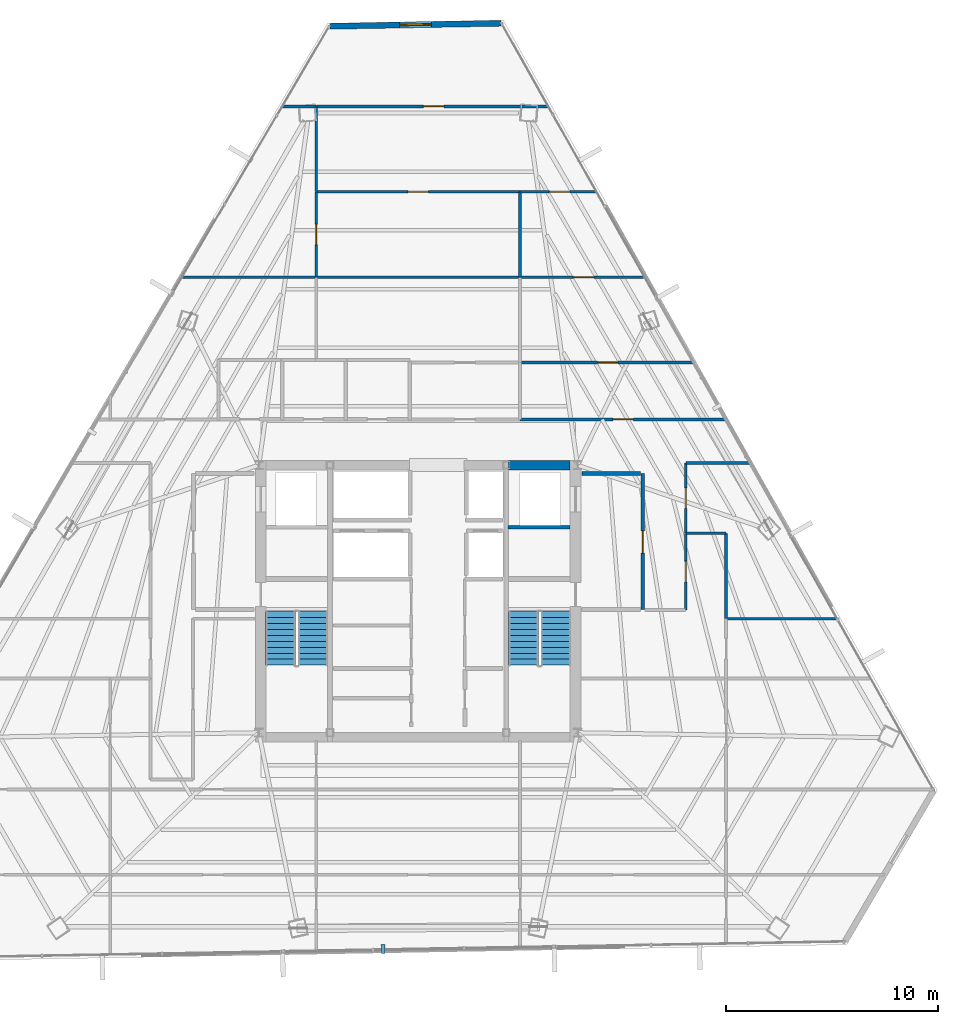
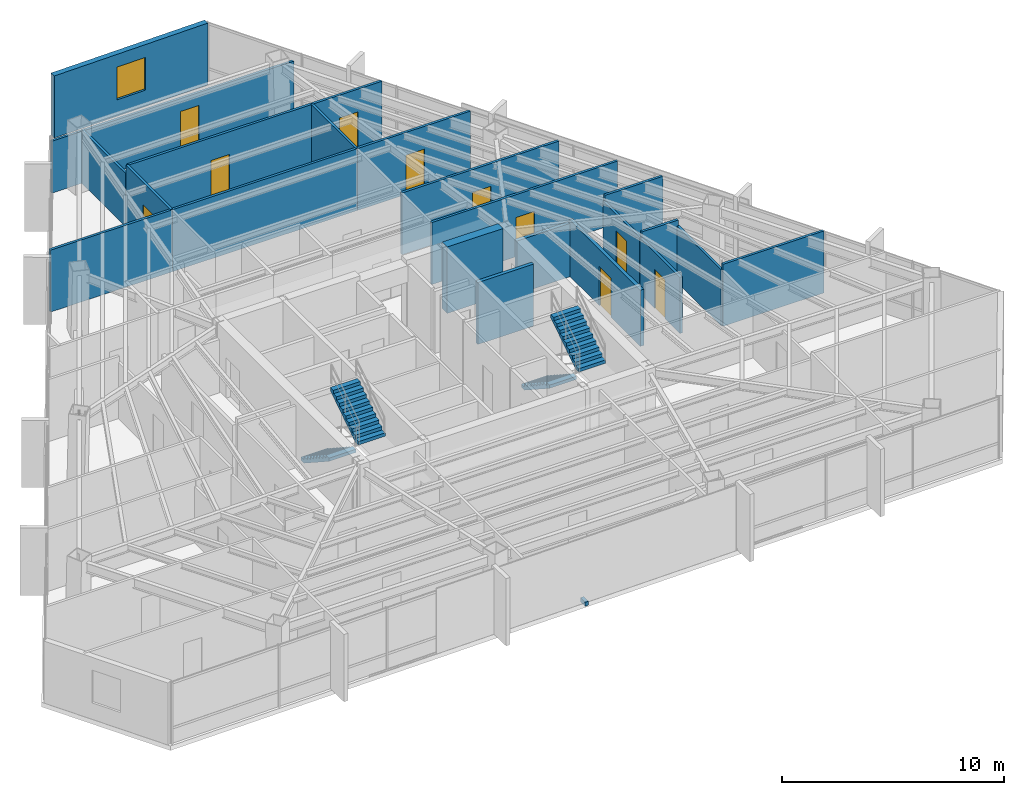
# One storey, part 39 of 44: 23 walls, 10 doors, 4 stair flights, 1 discrete accessory, 1 window, 11 openings, 2 elements without a shape of their own.
"""IFC4 building model written with IfcOpenShell, lengths in metres."""

import ifcopenshell
import ifcopenshell.guid

model = None  # the IFC model being written
_history = None  # IfcOwnerHistory: only IFC2X3 demands one
_inside = {}  # id of a spatial element -> (the spatial element, [elements in it])
_under = {}  # id of a project, library or spatial element -> (it, [spatial elements below it])
_declared = {}  # id of a project -> (the project, [libraries it declares])
_typed = {}  # id of a type object -> (the type object, [elements of that type])
_made_of = {}  # id of a material, layer set ... -> (it, [elements and type objects made of it])


def new_model(schema):
    """Start an empty IFC model of exactly this schema.

    Asked for "IFC4X3", IfcOpenShell would pick the latest addendum, in which some entities
    have other attributes; the version numbers below select the first issue.
    IFC2X3 requires an IfcOwnerHistory on every rooted entity: one is made here for all.
    """
    global model, _history
    if schema == "IFC4X3":
        model = ifcopenshell.file(schema_version=(4, 3, 0, 0))
    else:
        model = ifcopenshell.file(schema=schema)
    _inside.clear()
    _under.clear()
    _declared.clear()
    _typed.clear()
    _made_of.clear()
    _history = None
    if model.schema == "IFC2X3":
        org = make("IfcOrganization", Name="unknown")
        user = make(
            "IfcPersonAndOrganization",
            ThePerson=make("IfcPerson", FamilyName="unknown"),
            TheOrganization=org,
        )
        app = make(
            "IfcApplication",
            ApplicationDeveloper=org,
            Version="unknown",
            ApplicationFullName="unknown",
            ApplicationIdentifier="unknown",
        )
        _history = make(
            "IfcOwnerHistory",
            OwningUser=user,
            OwningApplication=app,
            ChangeAction="ADDED",
            CreationDate=0,
        )
    return model


def make(cls, **values):
    """One entity of the class cls with the attributes given. An attribute that is None is left unset."""
    return model.create_entity(
        cls, **{name: value for name, value in values.items() if value is not None}
    )


def rooted(cls, **values):
    """An entity with a GlobalId (a new one), such as an element, a storey or a relation."""
    return make(cls, GlobalId=ifcopenshell.guid.new(), OwnerHistory=_history, **values)


def si_unit(unit_type, name, prefix=None):
    """IfcSIUnit, for example si_unit("LENGTHUNIT", "METRE", prefix="MILLI")."""
    return make("IfcSIUnit", UnitType=unit_type, Prefix=prefix, Name=name)


def assignment(units):
    """IfcUnitAssignment: the units of a project."""
    return None if units is None else make("IfcUnitAssignment", Units=units)


def point(xyz):
    """IfcCartesianPoint."""
    return None if xyz is None else make("IfcCartesianPoint", Coordinates=xyz)


def direction(xyz):
    """IfcDirection."""
    return None if xyz is None else make("IfcDirection", DirectionRatios=xyz)


def frame(location, z_axis=None, x_axis=None):
    """IfcAxis2Placement3D, a coordinate frame: its origin and axes. An axis left out is left unset."""
    return make(
        "IfcAxis2Placement3D",
        Location=point(location),
        Axis=direction(z_axis),
        RefDirection=direction(x_axis),
    )


def frame_2d(location, x_axis=None):
    """IfcAxis2Placement2D, a coordinate frame in the plane: its origin and x axis."""
    return make(
        "IfcAxis2Placement2D", Location=point(location), RefDirection=direction(x_axis)
    )


def origin():
    """The frame at (0, 0, 0) with its axes left unset."""
    return frame((0.0, 0.0, 0.0))


def origin_2d():
    """The frame at (0, 0) in the plane with its x axis left unset."""
    return frame_2d((0.0, 0.0))


def place(relative_to, where):
    """IfcLocalPlacement: puts the frame where relative to a parent placement (None: the world)."""
    return make(
        "IfcLocalPlacement", PlacementRelTo=relative_to, RelativePlacement=where
    )


def context(
    kind, dimensions, precision=None, world=None, true_north=None, identifier=None
):
    """IfcGeometricRepresentationContext, for example the 3D "Model" context."""
    return make(
        "IfcGeometricRepresentationContext",
        ContextIdentifier=identifier,
        ContextType=kind,
        CoordinateSpaceDimension=dimensions,
        Precision=precision,
        WorldCoordinateSystem=world,
        TrueNorth=true_north,
    )


def subcontext(parent, identifier, kind, view, scale=None):
    """IfcGeometricRepresentationSubContext, for example "Body" below "Model"."""
    return make(
        "IfcGeometricRepresentationSubContext",
        ContextIdentifier=identifier,
        ContextType=kind,
        ParentContext=parent,
        TargetScale=scale,
        TargetView=view,
    )


def project(units=None, contexts=None):
    """IfcProject with its units and contexts."""
    return rooted(
        "IfcProject",
        Name="project",
        RepresentationContexts=contexts,
        UnitsInContext=assignment(units),
    )


def spatial(cls, under=None, at=None, **own):
    """A site, building, storey or space (cls), placed at a placement, below another one or the project."""
    s = rooted(cls, ObjectPlacement=at, **own)
    if under is not None:
        _under.setdefault(under.id(), (under, []))[1].append(s)
    return s


def polyline(points):
    """IfcPolyline through the points."""
    return make("IfcPolyline", Points=[point(p) for p in points])


def profile(cls, at=None, kind="AREA", **sizes):
    """A parametric profile (cls). Its sizes go by their IFC names, for example OverallWidth=200.0."""
    return make(cls, ProfileType=kind, Position=at, **sizes)


def rectangle(**sizes):
    """IfcRectangleProfileDef."""
    return profile("IfcRectangleProfileDef", **sizes)


def outline(outer, holes=None, kind="AREA"):
    """IfcArbitraryClosedProfileDef: a profile drawn as a closed curve; with holes, ...WithVoids."""
    if holes is None:
        return make("IfcArbitraryClosedProfileDef", ProfileType=kind, OuterCurve=outer)
    return make(
        "IfcArbitraryProfileDefWithVoids",
        ProfileType=kind,
        OuterCurve=outer,
        InnerCurves=holes,
    )


def extrude(swept, where, along, depth):
    """IfcExtrudedAreaSolid: the profile swept, set in the frame where, extruded along a direction by depth."""
    return make(
        "IfcExtrudedAreaSolid",
        SweptArea=swept,
        Position=where,
        ExtrudedDirection=direction(along),
        Depth=depth,
    )


def shape(context_of_items, identifier, shape_type, items):
    """IfcShapeRepresentation: the items that make up one representation, for example the "Body"."""
    return make(
        "IfcShapeRepresentation",
        ContextOfItems=context_of_items,
        RepresentationIdentifier=identifier,
        RepresentationType=shape_type,
        Items=items,
    )


def source(mapping_origin, context_of_items, identifier, shape_type, items):
    """IfcRepresentationMap: a shape defined once, which mapped items show again and again."""
    return make(
        "IfcRepresentationMap",
        MappingOrigin=mapping_origin,
        MappedRepresentation=shape(context_of_items, identifier, shape_type, items),
    )


def transform(
    local_origin,
    x_axis=None,
    y_axis=None,
    z_axis=None,
    scale=None,
    scale2=None,
    scale3=None,
    uniform=True,
):
    """IfcCartesianTransformationOperator3D, or its non-uniform kind. x_axis, y_axis, z_axis: its Axis1, 2, 3."""
    if uniform:
        return make(
            "IfcCartesianTransformationOperator3D",
            Axis1=direction(x_axis),
            Axis2=direction(y_axis),
            LocalOrigin=point(local_origin),
            Scale=scale,
            Axis3=direction(z_axis),
        )
    return make(
        "IfcCartesianTransformationOperator3DnonUniform",
        Axis1=direction(x_axis),
        Axis2=direction(y_axis),
        LocalOrigin=point(local_origin),
        Scale=scale,
        Axis3=direction(z_axis),
        Scale2=scale2,
        Scale3=scale3,
    )


def mapped(mapping_source, mapping_target):
    """IfcMappedItem: shows the shape of a source again, moved by a transform."""
    return make(
        "IfcMappedItem", MappingSource=mapping_source, MappingTarget=mapping_target
    )


def material(Name=None, Category=None):
    """IfcMaterial."""
    return make("IfcMaterial", Name=Name, Category=Category)


def layer(
    of_material, thickness, ventilated=None, Name=None, Category=None, Priority=None
):
    """IfcMaterialLayer: one layer of a wall or slab, of a material (None: an air gap)."""
    return make(
        "IfcMaterialLayer",
        Material=of_material,
        LayerThickness=thickness,
        IsVentilated=ventilated,
        Name=Name,
        Category=Category,
        Priority=Priority,
    )


def layer_set(layers, Name=None):
    """IfcMaterialLayerSet."""
    return make("IfcMaterialLayerSet", MaterialLayers=layers, LayerSetName=Name)


def made_of(thing, what):
    """Note that an element or type object is made of a material, layer set ...; save() writes the relation."""
    if what is not None:
        _made_of.setdefault(what.id(), (what, []))[1].append(thing)
    return thing


def type_object(cls, material=None, **own):
    """A type object (cls), such as IfcWallType, which elements share."""
    return made_of(rooted(cls, **own), material)


def type_shapes(of_type, sources):
    """Give a type object the sources (RepresentationMaps) that its elements show as mapped items."""
    of_type.RepresentationMaps = sources


def element(
    cls,
    number,
    at=None,
    inside=None,
    cuts=None,
    type_object=None,
    material=None,
    context=None,
    identifier="Body",
    shape_type=None,
    held_by="IfcProductDefinitionShape",
    body=None,
    shapes=None,
    **own,
):
    """One element of the class cls, such as IfcWall. Its Tag is "e" and its number.

    at: its placement. inside: the storey or other place that contains it. cuts: it is an
    opening in that element (IfcRelVoidsElement). A single representation is given by context,
    identifier, shape_type and body (its items); several are given by shapes. held_by: the class
    of the entity that holds the representations. save() writes the other relations.
    """
    e = rooted(cls, Tag="e%d" % number, ObjectPlacement=at, **own)
    if body is not None:
        shapes = [shape(context, identifier, shape_type, body)]
    if shapes is not None:
        e.Representation = make(held_by, Representations=shapes)
    if inside is not None:
        _inside.setdefault(inside.id(), (inside, []))[1].append(e)
    if cuts is not None:
        rooted(
            "IfcRelVoidsElement", RelatingBuildingElement=cuts, RelatedOpeningElement=e
        )
    if type_object is not None:
        _typed.setdefault(type_object.id(), (type_object, []))[1].append(e)
    return made_of(e, material)


def fill(opening, filler):
    """IfcRelFillsElement: the door or window that sits in an opening."""
    return rooted(
        "IfcRelFillsElement",
        RelatingOpeningElement=opening,
        RelatedBuildingElement=filler,
    )


def aggregate(whole, parts):
    """IfcRelAggregates: a whole, such as a stair, and the parts it consists of."""
    return rooted("IfcRelAggregates", RelatingObject=whole, RelatedObjects=parts)


def save(model, path):
    """Write the relations noted so far, then the file.

    IfcRelAggregates (storeys below a building ...), IfcRelContainedInSpatialStructure (elements
    in a storey), IfcRelDefinesByType, IfcRelAssociatesMaterial and IfcRelDeclares: one each for
    every whole, place, type object, material and project.
    """
    for whole, parts in _under.values():
        aggregate(whole, parts)
    for where, things in _inside.values():
        rooted(
            "IfcRelContainedInSpatialStructure",
            RelatedElements=things,
            RelatingStructure=where,
        )
    for kind, things in _typed.values():
        rooted("IfcRelDefinesByType", RelatedObjects=things, RelatingType=kind)
    for what, things in _made_of.values():
        rooted("IfcRelAssociatesMaterial", RelatedObjects=things, RelatingMaterial=what)
    for by, libraries in _declared.values():
        rooted("IfcRelDeclares", RelatingContext=by, RelatedDefinitions=libraries)
    model.write(path)


model = new_model("IFC4")

# Units and contexts
model_context = context("Model", 3, precision=1e-05, world=origin(), true_north=direction((0.0, 1.0)))
body_context = subcontext(model_context, "Body", "Model", "MODEL_VIEW")
ifc_project = project(units=[si_unit("LENGTHUNIT", "METRE"), si_unit("AREAUNIT", "SQUARE_METRE"), si_unit("VOLUMEUNIT", "CUBIC_METRE"), si_unit("PLANEANGLEUNIT", "RADIAN"), si_unit("MASSUNIT", "GRAM", prefix="KILO")], contexts=[model_context])

# Site, building, storey
site_placement = place(None, origin())
site = spatial("IfcSite", under=ifc_project, at=site_placement, CompositionType="ELEMENT")
building_placement = place(site_placement, origin())
building = spatial("IfcBuilding", under=site, at=building_placement, Name="Caelisora Broadcast Tower", CompositionType="ELEMENT")
storey_placement = place(building_placement, frame((0.0, 0.0, 198.64990234375)))
storey = spatial("IfcBuildingStorey", under=building, at=storey_placement, Name="L52", CompositionType="ELEMENT", Elevation=198.64990234375)

# Wall
ifc_material_1 = material(Name="Concrete 50 MPa (AS 3600 S50)", Category="concrete")
ifc_layer_1 = layer(ifc_material_1, 0.449951171875, Name="Concrete 50 MPa (AS 3600 S50)")
ifc_layer_set_1 = layer_set([ifc_layer_1], Name="Concrete 50 MPa (AS 3600 S50)")
wall_type_1 = type_object("IfcWallType", Name="CW5", PredefinedType="SHEAR", material=ifc_layer_set_1)
wall_1_placement = place(storey_placement, frame((42.260009765625, 30.0, 0.0), z_axis=(0.0, 0.0, 1.0), x_axis=(1.0, 0.0, 0.0)))
element("IfcWall", 1, at=wall_1_placement, inside=storey, type_object=wall_type_1, Name="L52 core shear wall CW5", PredefinedType="SHEAR", context=body_context, shape_type="SweptSolid", body=[
    extrude(rectangle(XDim=2.89990234375, YDim=0.449951171875, at=frame_2d((1.449951171875, 0.0))), origin(), (0.0, 0.0, 1.0), 3.650146484375),
])

# Wall, opening, window
ifc_material_2 = material(Name="Insulated Terracotta Spandrel Wall System", Category="masonry")
ifc_layer_2 = layer(ifc_material_2, 0.280029296875, Name="Insulated Terracotta Spandrel Wall System")
ifc_layer_set_2 = layer_set([ifc_layer_2], Name="Insulated Terracotta Spandrel Wall System")
wall_type_2 = type_object("IfcWallType", Name="EW1", PredefinedType="STANDARD", material=ifc_layer_set_2)
wall_2_placement = place(storey_placement, frame((33.846923828125, 50.66357421875, 0.0), z_axis=(0.0, 0.0, 1.0), x_axis=(0.999844795529, 0.017617742583, 0.0)))
wall_2 = element("IfcWall", 2, at=wall_2_placement, inside=storey, type_object=wall_type_2, Name="L52 exterior envelope wall EW1", PredefinedType="STANDARD", context=body_context, shape_type="SweptSolid", body=[
    extrude(rectangle(XDim=8.05126953125, YDim=0.280029296875, at=frame_2d((4.025634765625, 0.0))), origin(), (0.0, 0.0, 1.0), 3.400146484375),
])
opening_1_placement = place(wall_2_placement, frame((3.280029296875, 0.0, 0.89990234375)))
opening_1 = element("IfcOpeningElement", 3, at=opening_1_placement, cuts=wall_2, Name="Opening W02", PredefinedType="OPENING", context=body_context, shape_type="SweptSolid", body=[
    extrude(rectangle(XDim=1.5, YDim=1.800048828125, at=frame_2d((0.75, 0.89990234375))), frame((0.0, 0.152099609375, 0.0), z_axis=(0.0, -1.0, 0.0), x_axis=(1.0, 0.0, 0.0)), (0.0, 0.0, 1.0), 0.303955078125),
])
ifc_material_3 = material(Name="Double Glazed Terracotta-Framed Vision Window", Category="glass")
window_type = type_object("IfcWindowType", Name="W02", PartitioningType="SINGLE_PANEL", PredefinedType="WINDOW", material=ifc_material_3)
window_placement = place(opening_1_placement, origin())
window = element("IfcWindow", 4, at=window_placement, inside=storey, type_object=window_type, Name="L52 window W02 (L52-WN-CH8)", OverallHeight=1.800048828125, OverallWidth=1.5, PartitioningType="SINGLE_PANEL", PredefinedType="WINDOW", context=body_context, shape_type="SweptSolid", body=[
    extrude(rectangle(XDim=1.5, YDim=1.800048828125, at=frame_2d((0.75, 0.89990234375))), frame((0.0, 0.030029296875, 0.0), z_axis=(0.0, -1.0, 0.0), x_axis=(1.0, 0.0, 0.0)), (0.0, 0.0, 1.0), 0.06005859375),
])
fill(opening_1, window)

# Wall, opening, door
ifc_material_4 = material(Name="Fire-Rated Gypsum Shaft and Compartment Wall", Category="gypsum")
ifc_layer_3 = layer(ifc_material_4, 0.179931640625, Name="Fire-Rated Gypsum Shaft and Compartment Wall")
ifc_layer_set_3 = layer_set([ifc_layer_3], Name="Fire-Rated Gypsum Shaft and Compartment Wall")
wall_type_3 = type_object("IfcWallType", Name="PW2", PredefinedType="PARTITIONING", material=ifc_layer_set_3)
wall_3_placement = place(storey_placement, frame((48.580078125, 23.199951171875, 0.0), z_axis=(0.0, 0.0, 1.0), x_axis=(0.0, 1.0, 0.0)))
wall_3 = element("IfcWall", 5, at=wall_3_placement, inside=storey, type_object=wall_type_3, Name="L52 fire compartment wall PW2", PredefinedType="PARTITIONING", context=body_context, shape_type="SweptSolid", body=[
    extrude(rectangle(XDim=6.400146484375, YDim=0.179931640625, at=frame_2d((3.2001953125, 0.0))), origin(), (0.0, 0.0, 1.0), 3.077880859375),
])
opening_2_placement = place(wall_3_placement, frame((2.64990234375, 0.0, 0.0)))
opening_2 = element("IfcOpeningElement", 6, at=opening_2_placement, cuts=wall_3, Name="Opening FD02", PredefinedType="OPENING", context=body_context, shape_type="SweptSolid", body=[
    extrude(rectangle(XDim=1.050048828125, YDim=2.14990234375, at=frame_2d((0.52490234375, 1.074951171875))), frame((0.0, 0.10205078125, 0.0), z_axis=(0.0, -1.0, 0.0), x_axis=(1.0, 0.0, 0.0)), (0.0, 0.0, 1.0), 0.203857421875),
])
ifc_material_5 = material(Name="Single-Leaf Steel Fire Lobby Door", Category="steel")
door_type_1 = type_object("IfcDoorType", Name="FD02", OperationType="NOTDEFINED", PredefinedType="DOOR", material=ifc_material_5)
door_1_placement = place(opening_2_placement, origin())
door_1 = element("IfcDoor", 7, at=door_1_placement, inside=storey, type_object=door_type_1, Name="L52 door FD02 (L52-DR-P04D1)", OperationType="SINGLE_SWING_RIGHT", OverallHeight=2.14990234375, OverallWidth=1.050048828125, PredefinedType="DOOR", context=body_context, shape_type="SweptSolid", body=[
    extrude(rectangle(XDim=1.050048828125, YDim=2.14990234375, at=frame_2d((0.52490234375, 1.074951171875))), frame((0.0, 0.02490234375, 0.0), z_axis=(0.0, -1.0, 0.0), x_axis=(1.0, 0.0, 0.0)), (0.0, 0.0, 1.0), 0.050048828125),
])
fill(opening_2, door_1)

# Walls
wall_4_placement = place(storey_placement, frame((45.719970703125, 29.60009765625, 0.0), z_axis=(0.0, 0.0, 1.0), x_axis=(1.0, 0.0, 0.0)))
element("IfcWall", 8, at=wall_4_placement, inside=storey, type_object=wall_type_3, Name="L52 fire compartment wall PW2", PredefinedType="PARTITIONING", context=body_context, shape_type="SweptSolid", body=[
    extrude(rectangle(XDim=2.760009765625, YDim=0.179931640625, at=frame_2d((1.3798828125, 0.0))), origin(), (0.0, 0.0, 1.0), 2.9248046875),
])
wall_5_placement = place(storey_placement, frame((42.239990234375, 27.070068359375, 0.0), z_axis=(0.0, 0.0, 1.0), x_axis=(1.0, 0.0, 0.0)))
element("IfcWall", 9, at=wall_5_placement, inside=storey, type_object=wall_type_3, Name="L52 fire compartment wall PW2", PredefinedType="PARTITIONING", context=body_context, shape_type="SweptSolid", body=[
    extrude(rectangle(XDim=2.89990234375, YDim=0.179931640625, at=frame_2d((1.449951171875, 0.0))), origin(), (0.0, 0.0, 1.0), 3.400146484375),
])

# Wall, opening, door
ifc_material_6 = material(Name="Acoustic Steel-Stud Plasterboard Partition", Category="gypsum")
ifc_layer_4 = layer(ifc_material_6, 0.1298828125, Name="Acoustic Steel-Stud Plasterboard Partition")
ifc_layer_set_4 = layer_set([ifc_layer_4], Name="Acoustic Steel-Stud Plasterboard Partition")
wall_type_4 = type_object("IfcWallType", Name="PW3", PredefinedType="PARTITIONING", material=ifc_layer_set_4)
wall_6_placement = place(storey_placement, frame((33.205078125, 46.889892578125, 0.0), z_axis=(0.0, 0.0, 1.0), x_axis=(1.0, 0.0, 0.0)))
wall_6 = element("IfcWall", 10, at=wall_6_placement, inside=storey, type_object=wall_type_4, Name="L52 internal partition PW3", PredefinedType="PARTITIONING", context=body_context, shape_type="SweptSolid", body=[
    extrude(rectangle(XDim=10.93505859375, YDim=0.1298828125, at=frame_2d((5.467529296875, 0.0))), origin(), (0.0, 0.0, 1.0), 2.85205078125),
])
opening_3_placement = place(wall_6_placement, frame((5.04296875, 0.0, 0.0)))
opening_3 = element("IfcOpeningElement", 11, at=opening_3_placement, cuts=wall_6, Name="Opening D01", PredefinedType="OPENING", context=body_context, shape_type="SweptSolid", body=[
    extrude(rectangle(XDim=0.9599609375, YDim=2.14990234375, at=frame_2d((0.47998046875, 1.074951171875))), frame((0.0, 0.076904296875, 0.0), z_axis=(0.0, -1.0, 0.0), x_axis=(1.0, 0.0, 0.0)), (0.0, 0.0, 1.0), 0.15380859375),
])
ifc_material_7 = material(Name="Solid-Core Timber Acoustic Office Door", Category="wood")
door_type_2 = type_object("IfcDoorType", Name="D01", OperationType="NOTDEFINED", PredefinedType="DOOR", material=ifc_material_7)
door_2_placement = place(opening_3_placement, origin())
door_2 = element("IfcDoor", 12, at=door_2_placement, inside=storey, type_object=door_type_2, Name="L52 door D01 (L52-DR-P29D1)", OperationType="SINGLE_SWING_LEFT", OverallHeight=2.14990234375, OverallWidth=0.9599609375, PredefinedType="DOOR", context=body_context, shape_type="SweptSolid", body=[
    extrude(rectangle(XDim=0.9599609375, YDim=2.14990234375, at=frame_2d((0.47998046875, 1.074951171875))), frame((0.0, 0.02490234375, 0.0), z_axis=(0.0, -1.0, 0.0), x_axis=(1.0, 0.0, 0.0)), (0.0, 0.0, 1.0), 0.050048828125),
])
fill(opening_3, door_2)

wall_7_placement = place(storey_placement, frame((42.804931640625, 32.14990234375, 0.0), z_axis=(0.0, 0.0, 1.0), x_axis=(1.0, 0.0, 0.0)))
wall_7 = element("IfcWall", 13, at=wall_7_placement, inside=storey, type_object=wall_type_4, Name="L52 internal partition PW3", PredefinedType="PARTITIONING", context=body_context, shape_type="SweptSolid", body=[
    extrude(rectangle(XDim=9.641845703125, YDim=0.1298828125, at=frame_2d((4.82080078125, 0.0))), origin(), (0.0, 0.0, 1.0), 3.400146484375),
])
opening_4_placement = place(wall_7_placement, frame((4.366943359375, 0.0, 0.0)))
opening_4 = element("IfcOpeningElement", 14, at=opening_4_placement, cuts=wall_7, Name="Opening D01", PredefinedType="OPENING", context=body_context, shape_type="SweptSolid", body=[
    extrude(rectangle(XDim=0.9599609375, YDim=2.14990234375, at=frame_2d((0.47998046875, 1.074951171875))), frame((0.0, 0.076904296875, 0.0), z_axis=(0.0, -1.0, 0.0), x_axis=(1.0, 0.0, 0.0)), (0.0, 0.0, 1.0), 0.15380859375),
])
door_3_placement = place(opening_4_placement, origin())
door_3 = element("IfcDoor", 15, at=door_3_placement, inside=storey, type_object=door_type_2, Name="L52 door D01 (L52-DR-P33D1)", OperationType="SINGLE_SWING_LEFT", OverallHeight=2.14990234375, OverallWidth=0.9599609375, PredefinedType="DOOR", context=body_context, shape_type="SweptSolid", body=[
    extrude(rectangle(XDim=0.9599609375, YDim=2.14990234375, at=frame_2d((0.47998046875, 1.074951171875))), frame((0.0, 0.02490234375, 0.0), z_axis=(0.0, -1.0, 0.0), x_axis=(1.0, 0.0, 0.0)), (0.0, 0.0, 1.0), 0.050048828125),
])
fill(opening_4, door_3)

wall_8_placement = place(storey_placement, frame((33.205078125, 42.8701171875, 0.0), z_axis=(0.0, 0.0, 1.0), x_axis=(1.0, 0.0, 0.0)))
wall_8 = element("IfcWall", 16, at=wall_8_placement, inside=storey, type_object=wall_type_4, Name="L52 internal partition PW3", PredefinedType="PARTITIONING", context=body_context, shape_type="SweptSolid", body=[
    extrude(rectangle(XDim=9.58984375, YDim=0.1298828125, at=frame_2d((4.794921875, 0.0))), origin(), (0.0, 0.0, 1.0), 3.400146484375),
])
opening_5_placement = place(wall_8_placement, frame((4.31494140625, 0.0, 0.0)))
opening_5 = element("IfcOpeningElement", 17, at=opening_5_placement, cuts=wall_8, Name="Opening D01", PredefinedType="OPENING", context=body_context, shape_type="SweptSolid", body=[
    extrude(rectangle(XDim=0.9599609375, YDim=2.14990234375, at=frame_2d((0.47998046875, 1.074951171875))), frame((0.0, 0.076904296875, 0.0), z_axis=(0.0, -1.0, 0.0), x_axis=(1.0, 0.0, 0.0)), (0.0, 0.0, 1.0), 0.15380859375),
])
door_4_placement = place(opening_5_placement, origin())
door_4 = element("IfcDoor", 18, at=door_4_placement, inside=storey, type_object=door_type_2, Name="L52 door D01 (L52-DR-P40D1)", OperationType="SINGLE_SWING_LEFT", OverallHeight=2.14990234375, OverallWidth=0.9599609375, PredefinedType="DOOR", context=body_context, shape_type="SweptSolid", body=[
    extrude(rectangle(XDim=0.9599609375, YDim=2.14990234375, at=frame_2d((0.47998046875, 1.074951171875))), frame((0.0, 0.02490234375, 0.0), z_axis=(0.0, -1.0, 0.0), x_axis=(1.0, 0.0, 0.0)), (0.0, 0.0, 1.0), 0.050048828125),
])
fill(opening_5, door_4)

# Wall
wall_9_placement = place(storey_placement, frame((33.205078125, 38.85009765625, 0.0), z_axis=(0.0, 0.0, 1.0), x_axis=(1.0, 0.0, 0.0)))
element("IfcWall", 19, at=wall_9_placement, inside=storey, type_object=wall_type_4, Name="L52 internal partition PW3", PredefinedType="PARTITIONING", context=body_context, shape_type="SweptSolid", body=[
    extrude(rectangle(XDim=9.58984375, YDim=0.1298828125, at=frame_2d((4.794921875, 0.0))), origin(), (0.0, 0.0, 1.0), 3.400146484375),
])

# Wall, opening, door
wall_10_placement = place(storey_placement, frame((42.804931640625, 34.830078125, 0.0), z_axis=(0.0, 0.0, 1.0), x_axis=(1.0, 0.0, 0.0)))
wall_10 = element("IfcWall", 20, at=wall_10_placement, inside=storey, type_object=wall_type_4, Name="L52 internal partition PW3", PredefinedType="PARTITIONING", context=body_context, shape_type="SweptSolid", body=[
    extrude(rectangle(XDim=8.131591796875, YDim=0.1298828125, at=frame_2d((4.06591796875, 0.0))), origin(), (0.0, 0.0, 1.0), 3.400146484375),
])
opening_6_placement = place(wall_10_placement, frame((3.64208984375, 0.0, 0.0)))
opening_6 = element("IfcOpeningElement", 21, at=opening_6_placement, cuts=wall_10, Name="Opening D01", PredefinedType="OPENING", context=body_context, shape_type="SweptSolid", body=[
    extrude(rectangle(XDim=0.9599609375, YDim=2.14990234375, at=frame_2d((0.47998046875, 1.074951171875))), frame((0.0, 0.076904296875, 0.0), z_axis=(0.0, -1.0, 0.0), x_axis=(1.0, 0.0, 0.0)), (0.0, 0.0, 1.0), 0.15380859375),
])
door_5_placement = place(opening_6_placement, origin())
door_5 = element("IfcDoor", 22, at=door_5_placement, inside=storey, type_object=door_type_2, Name="L52 door D01 (L52-DR-P43D1)", OperationType="SINGLE_SWING_RIGHT", OverallHeight=2.14990234375, OverallWidth=0.9599609375, PredefinedType="DOOR", context=body_context, shape_type="SweptSolid", body=[
    extrude(rectangle(XDim=0.9599609375, YDim=2.14990234375, at=frame_2d((0.47998046875, 1.074951171875))), frame((0.0, 0.02490234375, 0.0), z_axis=(0.0, -1.0, 0.0), x_axis=(1.0, 0.0, 0.0)), (0.0, 0.0, 1.0), 0.050048828125),
])
fill(opening_6, door_5)

# Wall
wall_11_placement = place(storey_placement, frame((26.874267578125, 38.85009765625, 0.0), z_axis=(0.0, 0.0, 1.0), x_axis=(1.0, 0.0, 0.0)))
element("IfcWall", 23, at=wall_11_placement, inside=storey, type_object=wall_type_4, Name="L52 internal partition PW3", PredefinedType="PARTITIONING", context=body_context, shape_type="SweptSolid", body=[
    extrude(rectangle(XDim=6.32080078125, YDim=0.1298828125, at=frame_2d((3.160400390625, 0.0))), origin(), (0.0, 0.0, 1.0), 3.400146484375),
])

# Wall, opening, door
wall_12_placement = place(storey_placement, frame((42.804931640625, 38.85009765625, 0.0), z_axis=(0.0, 0.0, 1.0), x_axis=(1.0, 0.0, 0.0)))
wall_12 = element("IfcWall", 24, at=wall_12_placement, inside=storey, type_object=wall_type_4, Name="L52 internal partition PW3", PredefinedType="PARTITIONING", context=body_context, shape_type="SweptSolid", body=[
    extrude(rectangle(XDim=5.865966796875, YDim=0.1298828125, at=frame_2d((2.93310546875, 0.0))), origin(), (0.0, 0.0, 1.0), 3.400146484375),
])
opening_7_placement = place(wall_12_placement, frame((2.508056640625, 0.0, 0.0)))
opening_7 = element("IfcOpeningElement", 25, at=opening_7_placement, cuts=wall_12, Name="Opening D01", PredefinedType="OPENING", context=body_context, shape_type="SweptSolid", body=[
    extrude(rectangle(XDim=0.9599609375, YDim=2.14990234375, at=frame_2d((0.47998046875, 1.074951171875))), frame((0.0, 0.076904296875, 0.0), z_axis=(0.0, -1.0, 0.0), x_axis=(1.0, 0.0, 0.0)), (0.0, 0.0, 1.0), 0.15380859375),
])
door_6_placement = place(opening_7_placement, origin())
door_6 = element("IfcDoor", 26, at=door_6_placement, inside=storey, type_object=door_type_2, Name="L52 door D01 (L52-DR-P52D1)", OperationType="SINGLE_SWING_LEFT", OverallHeight=2.14990234375, OverallWidth=0.9599609375, PredefinedType="DOOR", context=body_context, shape_type="SweptSolid", body=[
    extrude(rectangle(XDim=0.9599609375, YDim=2.14990234375, at=frame_2d((0.47998046875, 1.074951171875))), frame((0.0, 0.02490234375, 0.0), z_axis=(0.0, -1.0, 0.0), x_axis=(1.0, 0.0, 0.0)), (0.0, 0.0, 1.0), 0.050048828125),
])
fill(opening_7, door_6)

# Walls
wall_13_placement = place(storey_placement, frame((52.5048828125, 22.77001953125, 0.0), z_axis=(0.0, 0.0, 1.0), x_axis=(1.0, 0.0, 0.0)))
element("IfcWall", 27, at=wall_13_placement, inside=storey, type_object=wall_type_4, Name="L52 internal partition PW3", PredefinedType="PARTITIONING", context=body_context, shape_type="SweptSolid", body=[
    extrude(rectangle(XDim=5.22802734375, YDim=0.1298828125, at=frame_2d((2.614013671875, 0.0))), origin(), (0.0, 0.0, 1.0), 3.400146484375),
])
wall_14_placement = place(storey_placement, frame((33.199951171875, 42.875, 0.0), z_axis=(0.0, 0.0, 1.0), x_axis=(0.0, 1.0, 0.0)))
element("IfcWall", 28, at=wall_14_placement, inside=storey, type_object=wall_type_4, Name="L52 internal partition PW3", PredefinedType="PARTITIONING", context=body_context, shape_type="SweptSolid", body=[
    extrude(rectangle(XDim=4.010009765625, YDim=0.1298828125, at=frame_2d((2.0048828125, 0.0))), origin(), (0.0, 0.0, 1.0), 2.9248046875),
])
wall_15_placement = place(storey_placement, frame((52.5, 22.77490234375, 0.0), z_axis=(0.0, 0.0, 1.0), x_axis=(0.0, 1.0, 0.0)))
element("IfcWall", 29, at=wall_15_placement, inside=storey, type_object=wall_type_4, Name="L52 internal partition PW3", PredefinedType="PARTITIONING", context=body_context, shape_type="SweptSolid", body=[
    extrude(rectangle(XDim=4.010009765625, YDim=0.1298828125, at=frame_2d((2.0048828125, 0.0))), origin(), (0.0, 0.0, 1.0), 3.077880859375),
])
wall_16_placement = place(storey_placement, frame((42.800048828125, 38.85498046875, 0.0), z_axis=(0.0, 0.0, 1.0), x_axis=(0.0, 1.0, 0.0)))
element("IfcWall", 30, at=wall_16_placement, inside=storey, type_object=wall_type_4, Name="L52 internal partition PW3", PredefinedType="PARTITIONING", context=body_context, shape_type="SweptSolid", body=[
    extrude(rectangle(XDim=4.010009765625, YDim=0.1298828125, at=frame_2d((2.0048828125, 0.0))), origin(), (0.0, 0.0, 1.0), 3.400146484375),
])

# Wall, opening, door
wall_17_placement = place(storey_placement, frame((33.199951171875, 38.85498046875, 0.0), z_axis=(0.0, 0.0, 1.0), x_axis=(0.0, 1.0, 0.0)))
wall_17 = element("IfcWall", 31, at=wall_17_placement, inside=storey, type_object=wall_type_4, Name="L52 internal partition PW3", PredefinedType="PARTITIONING", context=body_context, shape_type="SweptSolid", body=[
    extrude(rectangle(XDim=4.010009765625, YDim=0.1298828125, at=frame_2d((2.0048828125, 0.0))), origin(), (0.0, 0.0, 1.0), 3.400146484375),
])
opening_8_placement = place(wall_17_placement, frame((1.52490234375, 0.0, 0.0)))
opening_8 = element("IfcOpeningElement", 32, at=opening_8_placement, cuts=wall_17, Name="Opening D01", PredefinedType="OPENING", context=body_context, shape_type="SweptSolid", body=[
    extrude(rectangle(XDim=0.9599609375, YDim=2.14990234375, at=frame_2d((0.47998046875, 1.074951171875))), frame((0.0, 0.076904296875, 0.0), z_axis=(0.0, -1.0, 0.0), x_axis=(1.0, 0.0, 0.0)), (0.0, 0.0, 1.0), 0.15380859375),
])
door_7_placement = place(opening_8_placement, origin())
door_7 = element("IfcDoor", 33, at=door_7_placement, inside=storey, type_object=door_type_2, Name="L52 door D01 (L52-DR-P68D1)", OperationType="SINGLE_SWING_RIGHT", OverallHeight=2.14990234375, OverallWidth=0.9599609375, PredefinedType="DOOR", context=body_context, shape_type="SweptSolid", body=[
    extrude(rectangle(XDim=0.9599609375, YDim=2.14990234375, at=frame_2d((0.47998046875, 1.074951171875))), frame((0.0, 0.02490234375, 0.0), z_axis=(0.0, -1.0, 0.0), x_axis=(1.0, 0.0, 0.0)), (0.0, 0.0, 1.0), 0.050048828125),
])
fill(opening_8, door_7)

wall_18_placement = place(storey_placement, frame((42.804931640625, 42.8701171875, 0.0), z_axis=(0.0, 0.0, 1.0), x_axis=(1.0, 0.0, 0.0)))
wall_18 = element("IfcWall", 34, at=wall_18_placement, inside=storey, type_object=wall_type_4, Name="L52 internal partition PW3", PredefinedType="PARTITIONING", context=body_context, shape_type="SweptSolid", body=[
    extrude(rectangle(XDim=3.6005859375, YDim=0.1298828125, at=frame_2d((1.80029296875, 0.0))), origin(), (0.0, 0.0, 1.0), 3.400146484375),
])
opening_9_placement = place(wall_18_placement, frame((1.3779296875, 0.0, 0.0)))
opening_9 = element("IfcOpeningElement", 35, at=opening_9_placement, cuts=wall_18, Name="Opening D01", PredefinedType="OPENING", context=body_context, shape_type="SweptSolid", body=[
    extrude(rectangle(XDim=0.9599609375, YDim=2.14990234375, at=frame_2d((0.47998046875, 1.074951171875))), frame((0.0, 0.076904296875, 0.0), z_axis=(0.0, -1.0, 0.0), x_axis=(1.0, 0.0, 0.0)), (0.0, 0.0, 1.0), 0.15380859375),
])
door_8_placement = place(opening_9_placement, origin())
door_8 = element("IfcDoor", 36, at=door_8_placement, inside=storey, type_object=door_type_2, Name="L52 door D01 (L52-DR-P72D1)", OperationType="SINGLE_SWING_LEFT", OverallHeight=2.14990234375, OverallWidth=0.9599609375, PredefinedType="DOOR", context=body_context, shape_type="SweptSolid", body=[
    extrude(rectangle(XDim=0.9599609375, YDim=2.14990234375, at=frame_2d((0.47998046875, 1.074951171875))), frame((0.0, 0.02490234375, 0.0), z_axis=(0.0, -1.0, 0.0), x_axis=(1.0, 0.0, 0.0)), (0.0, 0.0, 1.0), 0.050048828125),
])
fill(opening_9, door_8)

wall_19_placement = place(storey_placement, frame((50.60009765625, 23.18505859375, 0.0), z_axis=(0.0, 0.0, 1.0), x_axis=(0.0, 1.0, 0.0)))
wall_19 = element("IfcWall", 37, at=wall_19_placement, inside=storey, type_object=wall_type_4, Name="L52 internal partition PW3", PredefinedType="PARTITIONING", context=body_context, shape_type="SweptSolid", body=[
    extrude(rectangle(XDim=3.599853515625, YDim=0.1298828125, at=frame_2d((1.7998046875, 0.0))), origin(), (0.0, 0.0, 1.0), 3.077880859375),
])
opening_10_placement = place(wall_19_placement, frame((1.320068359375, 0.0, 0.0)))
opening_10 = element("IfcOpeningElement", 38, at=opening_10_placement, cuts=wall_19, Name="Opening D01", PredefinedType="OPENING", context=body_context, shape_type="SweptSolid", body=[
    extrude(rectangle(XDim=0.9599609375, YDim=2.14990234375, at=frame_2d((0.47998046875, 1.074951171875))), frame((0.0, 0.076904296875, 0.0), z_axis=(0.0, -1.0, 0.0), x_axis=(1.0, 0.0, 0.0)), (0.0, 0.0, 1.0), 0.15380859375),
])
door_9_placement = place(opening_10_placement, origin())
door_9 = element("IfcDoor", 39, at=door_9_placement, inside=storey, type_object=door_type_2, Name="L52 door D01 (L52-DR-P74D1)", OperationType="SINGLE_SWING_LEFT", OverallHeight=2.14990234375, OverallWidth=0.9599609375, PredefinedType="DOOR", context=body_context, shape_type="SweptSolid", body=[
    extrude(rectangle(XDim=0.9599609375, YDim=2.14990234375, at=frame_2d((0.47998046875, 1.074951171875))), frame((0.0, 0.02490234375, 0.0), z_axis=(0.0, -1.0, 0.0), x_axis=(1.0, 0.0, 0.0)), (0.0, 0.0, 1.0), 0.050048828125),
])
fill(opening_10, door_9)

wall_20_placement = place(storey_placement, frame((50.60009765625, 26.794921875, 0.0), z_axis=(0.0, 0.0, 1.0), x_axis=(0.0, 1.0, 0.0)))
wall_20 = element("IfcWall", 40, at=wall_20_placement, inside=storey, type_object=wall_type_4, Name="L52 internal partition PW3", PredefinedType="PARTITIONING", context=body_context, shape_type="SweptSolid", body=[
    extrude(rectangle(XDim=3.300048828125, YDim=0.1298828125, at=frame_2d((1.64990234375, 0.0))), origin(), (0.0, 0.0, 1.0), 3.077880859375),
])
opening_11_placement = place(wall_20_placement, frame((1.169921875, 0.0, 0.0)))
opening_11 = element("IfcOpeningElement", 41, at=opening_11_placement, cuts=wall_20, Name="Opening D01", PredefinedType="OPENING", context=body_context, shape_type="SweptSolid", body=[
    extrude(rectangle(XDim=0.9599609375, YDim=2.14990234375, at=frame_2d((0.47998046875, 1.074951171875))), frame((0.0, 0.076904296875, 0.0), z_axis=(0.0, -1.0, 0.0), x_axis=(1.0, 0.0, 0.0)), (0.0, 0.0, 1.0), 0.15380859375),
])
door_10_placement = place(opening_11_placement, origin())
door_10 = element("IfcDoor", 42, at=door_10_placement, inside=storey, type_object=door_type_2, Name="L52 door D01 (L52-DR-P77D1)", OperationType="SINGLE_SWING_RIGHT", OverallHeight=2.14990234375, OverallWidth=0.9599609375, PredefinedType="DOOR", context=body_context, shape_type="SweptSolid", body=[
    extrude(rectangle(XDim=0.9599609375, YDim=2.14990234375, at=frame_2d((0.47998046875, 1.074951171875))), frame((0.0, 0.02490234375, 0.0), z_axis=(0.0, -1.0, 0.0), x_axis=(1.0, 0.0, 0.0)), (0.0, 0.0, 1.0), 0.050048828125),
])
fill(opening_11, door_10)

# Walls
wall_21_placement = place(storey_placement, frame((50.60498046875, 30.10009765625, 0.0), z_axis=(0.0, 0.0, 1.0), x_axis=(1.0, 0.0, 0.0)))
element("IfcWall", 43, at=wall_21_placement, inside=storey, type_object=wall_type_4, Name="L52 internal partition PW3", PredefinedType="PARTITIONING", context=body_context, shape_type="SweptSolid", body=[
    extrude(rectangle(XDim=2.9970703125, YDim=0.1298828125, at=frame_2d((1.49853515625, 0.0))), origin(), (0.0, 0.0, 1.0), 3.400146484375),
])
wall_22_placement = place(storey_placement, frame((52.4951171875, 26.7900390625, 0.0), z_axis=(0.0, 0.0, 1.0), x_axis=(-1.0, 0.0, 0.0)))
element("IfcWall", 44, at=wall_22_placement, inside=storey, type_object=wall_type_4, Name="L52 internal partition PW3", PredefinedType="PARTITIONING", context=body_context, shape_type="SweptSolid", body=[
    extrude(rectangle(XDim=1.89013671875, YDim=0.1298828125, at=frame_2d((0.945068359375, 0.0))), origin(), (0.0, 0.0, 1.0), 3.400146484375),
])
wall_23_placement = place(storey_placement, frame((31.595703125, 46.889892578125, 0.0), z_axis=(0.0, 0.0, 1.0), x_axis=(1.0, 0.0, 0.0)))
element("IfcWall", 45, at=wall_23_placement, inside=storey, type_object=wall_type_4, Name="L52 internal partition PW3", PredefinedType="PARTITIONING", context=body_context, shape_type="SweptSolid", body=[
    extrude(rectangle(XDim=1.599365234375, YDim=0.1298828125, at=frame_2d((0.7998046875, 0.0))), origin(), (0.0, 0.0, 1.0), 2.85205078125),
])

# Stair, stair flights
ifc_material_8 = material(Name="Concrete 40 MPa (AS 3600 N40)", Category="concrete")
stair_type_1 = type_object("IfcStairType", Name="ST-1", PredefinedType="HALF_TURN_STAIR", material=ifc_material_8)
stair_1_placement = place(storey_placement, origin())
stair_1 = element("IfcStair", 46, at=stair_1_placement, inside=storey, type_object=stair_type_1, Name="L52 West Fire-Isolated Tower Stair", PredefinedType="HALF_TURN_STAIR")
stair_flight_type = type_object("IfcStairFlightType", Name="STF-3", PredefinedType="STRAIGHT", material=ifc_material_8)
stair_flight_1_placement = place(storey_placement, frame((31.52001953125, 23.10009765625, 0.0), z_axis=(0.0, 0.0, 1.0), x_axis=(0.0, -1.0, 0.0)))
stair_flight_1 = element("IfcStairFlight", 47, at=stair_flight_1_placement, type_object=stair_flight_type, Name="ST-1 flight 1", NumberOfRisers=10, NumberOfTreads=9, PredefinedType="STRAIGHT", RiserHeight=0.1825, TreadLength=0.28, context=body_context, shape_type="SweptSolid", body=[
    extrude(outline(polyline([(0.0, 0.0), (0.0, 0.1826171875), (0.280029296875, 0.1826171875), (0.280029296875, 0.364990234375), (0.56005859375, 0.364990234375), (0.56005859375, 0.547607421875), (0.840087890625, 0.547607421875), (0.840087890625, 0.72998046875), (1.1201171875, 0.72998046875), (1.1201171875, 0.91259765625), (1.39990234375, 0.91259765625), (1.39990234375, 1.094970703125), (1.679931640625, 1.094970703125), (1.679931640625, 1.277587890625), (1.9599609375, 1.277587890625), (1.9599609375, 1.4599609375), (2.239990234375, 1.4599609375), (2.239990234375, 1.642578125), (2.52001953125, 1.642578125), (2.52001953125, 1.824951171875), (2.52001953125, 1.463623046875), (0.2744140625, 0.0), (0.0, 0.0)])), frame((0.0, 0.699951171875, 0.0), z_axis=(0.0, -1.0, 0.0), x_axis=(1.0, 0.0, 0.0)), (0.0, 0.0, 1.0), 1.39990234375),
])
stair_flight_2_placement = place(storey_placement, frame((33.0400390625, 20.580078125, 1.8251953125), z_axis=(0.0, 0.0, 1.0), x_axis=(0.0, 1.0, 0.0)))
stair_flight_2 = element("IfcStairFlight", 48, at=stair_flight_2_placement, type_object=stair_flight_type, Name="ST-1 flight 2", NumberOfRisers=10, NumberOfTreads=9, PredefinedType="STRAIGHT", RiserHeight=0.1825, TreadLength=0.28, context=body_context, shape_type="SweptSolid", body=[
    extrude(outline(polyline([(0.0, 0.0), (0.0, 0.1826171875), (0.280029296875, 0.1826171875), (0.280029296875, 0.364990234375), (0.56005859375, 0.364990234375), (0.56005859375, 0.547607421875), (0.840087890625, 0.547607421875), (0.840087890625, 0.72998046875), (1.1201171875, 0.72998046875), (1.1201171875, 0.91259765625), (1.39990234375, 0.91259765625), (1.39990234375, 1.094970703125), (1.679931640625, 1.094970703125), (1.679931640625, 1.277587890625), (1.9599609375, 1.277587890625), (1.9599609375, 1.4599609375), (2.239990234375, 1.4599609375), (2.239990234375, 1.642578125), (2.52001953125, 1.642578125), (2.52001953125, 1.824951171875), (2.52001953125, 1.463623046875), (0.2744140625, 0.0), (0.0, 0.0)])), frame((0.0, 0.699951171875, 0.0), z_axis=(0.0, -1.0, 0.0), x_axis=(1.0, 0.0, 0.0)), (0.0, 0.0, 1.0), 1.39990234375),
])
aggregate(stair_1, [stair_flight_1, stair_flight_2])

stair_type_2 = type_object("IfcStairType", Name="ST-2", PredefinedType="HALF_TURN_STAIR", material=ifc_material_8)
stair_2_placement = place(storey_placement, origin())
stair_2 = element("IfcStair", 49, at=stair_2_placement, inside=storey, type_object=stair_type_2, Name="L52 East Fire-Isolated Tower Stair", PredefinedType="HALF_TURN_STAIR")
stair_flight_3_placement = place(storey_placement, frame((42.9599609375, 23.10009765625, 0.0), z_axis=(0.0, 0.0, 1.0), x_axis=(0.0, -1.0, 0.0)))
stair_flight_3 = element("IfcStairFlight", 50, at=stair_flight_3_placement, type_object=stair_flight_type, Name="ST-2 flight 1", NumberOfRisers=10, NumberOfTreads=9, PredefinedType="STRAIGHT", RiserHeight=0.1825, TreadLength=0.28, context=body_context, shape_type="SweptSolid", body=[
    extrude(outline(polyline([(0.0, 0.0), (0.0, 0.1826171875), (0.280029296875, 0.1826171875), (0.280029296875, 0.364990234375), (0.56005859375, 0.364990234375), (0.56005859375, 0.547607421875), (0.840087890625, 0.547607421875), (0.840087890625, 0.72998046875), (1.1201171875, 0.72998046875), (1.1201171875, 0.91259765625), (1.39990234375, 0.91259765625), (1.39990234375, 1.094970703125), (1.679931640625, 1.094970703125), (1.679931640625, 1.277587890625), (1.9599609375, 1.277587890625), (1.9599609375, 1.4599609375), (2.239990234375, 1.4599609375), (2.239990234375, 1.642578125), (2.52001953125, 1.642578125), (2.52001953125, 1.824951171875), (2.52001953125, 1.463623046875), (0.2744140625, 0.0), (0.0, 0.0)])), frame((0.0, 0.699951171875, 0.0), z_axis=(0.0, -1.0, 0.0), x_axis=(1.0, 0.0, 0.0)), (0.0, 0.0, 1.0), 1.39990234375),
])
stair_flight_4_placement = place(storey_placement, frame((44.47998046875, 20.580078125, 1.8251953125), z_axis=(0.0, 0.0, 1.0), x_axis=(0.0, 1.0, 0.0)))
stair_flight_4 = element("IfcStairFlight", 51, at=stair_flight_4_placement, type_object=stair_flight_type, Name="ST-2 flight 2", NumberOfRisers=10, NumberOfTreads=9, PredefinedType="STRAIGHT", RiserHeight=0.1825, TreadLength=0.28, context=body_context, shape_type="SweptSolid", body=[
    extrude(outline(polyline([(0.0, 0.0), (0.0, 0.1826171875), (0.280029296875, 0.1826171875), (0.280029296875, 0.364990234375), (0.56005859375, 0.364990234375), (0.56005859375, 0.547607421875), (0.840087890625, 0.547607421875), (0.840087890625, 0.72998046875), (1.1201171875, 0.72998046875), (1.1201171875, 0.91259765625), (1.39990234375, 0.91259765625), (1.39990234375, 1.094970703125), (1.679931640625, 1.094970703125), (1.679931640625, 1.277587890625), (1.9599609375, 1.277587890625), (1.9599609375, 1.4599609375), (2.239990234375, 1.4599609375), (2.239990234375, 1.642578125), (2.52001953125, 1.642578125), (2.52001953125, 1.824951171875), (2.52001953125, 1.463623046875), (0.2744140625, 0.0), (0.0, 0.0)])), frame((0.0, 0.699951171875, 0.0), z_axis=(0.0, -1.0, 0.0), x_axis=(1.0, 0.0, 0.0)), (0.0, 0.0, 1.0), 1.39990234375),
])
aggregate(stair_2, [stair_flight_3, stair_flight_4])

# Discrete accessory
ifc_material_9 = material(Name="Steel Grade 350 (AS/NZS 3679.1)", Category="steel")
discrete_accessory_type = type_object("IfcDiscreteAccessoryType", Name="BRK-1", PredefinedType="BRACKET", material=ifc_material_9)
shared_shape = source(origin(), body_context, "Body", "SweptSolid", [
    extrude(rectangle(XDim=0.179931640625, YDim=0.419921875, at=origin_2d()), origin(), (0.0, 0.0, 1.0), 0.219970703125),
])
type_shapes(discrete_accessory_type, [shared_shape])
discrete_accessory_placement = place(storey_placement, frame((36.355712890625, 7.20703125, -0.15966796875), z_axis=(0.0, 0.0, 1.0), x_axis=(0.999841542203, 0.017801418053, 0.0)))
element("IfcDiscreteAccessory", 52, at=discrete_accessory_placement, inside=storey, type_object=discrete_accessory_type, Name="L52 solar screen outrigger bracket #2", PredefinedType="BRACKET", context=body_context, shape_type="MappedRepresentation", body=[
    mapped(shared_shape, transform((0.0, 0.0, 0.0), scale=1.0)),
])

save(model, "model.ifc")
